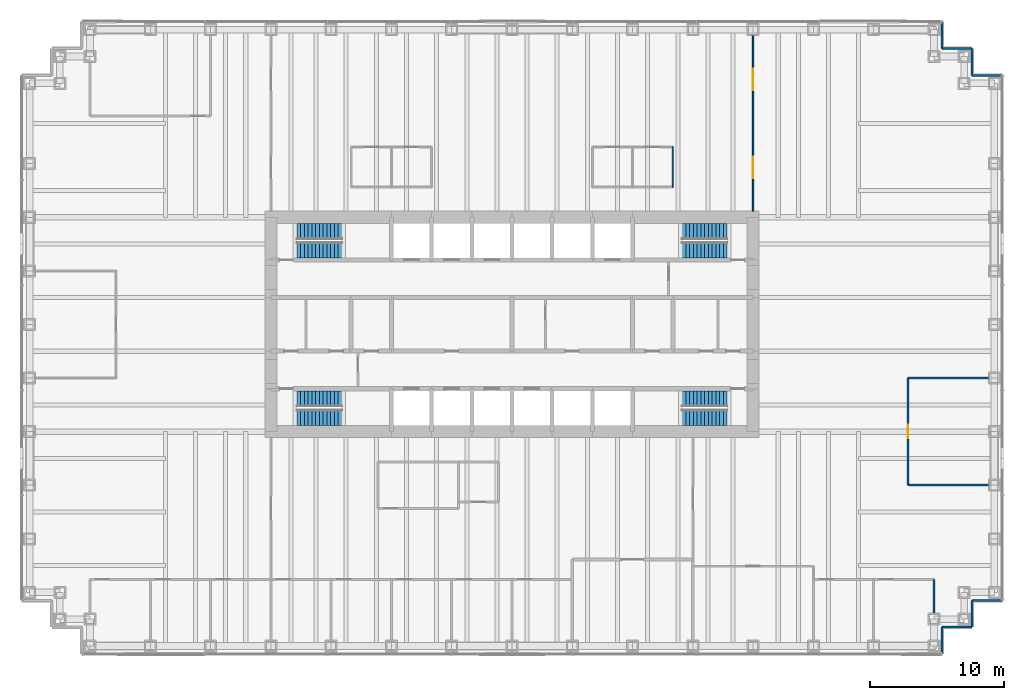
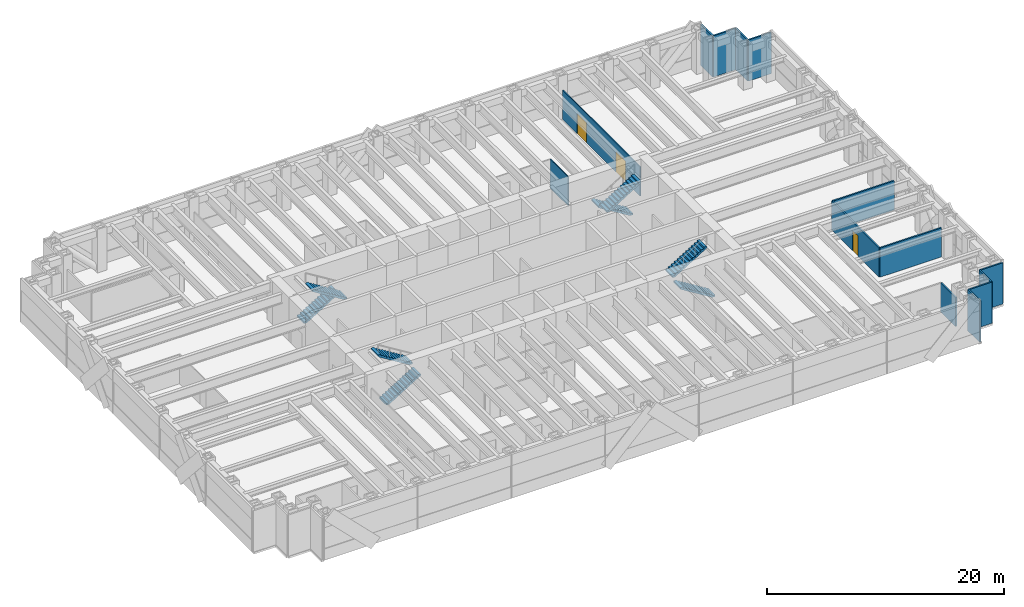
# One storey, part 12 of 13: 14 walls, 8 stair flights, 3 doors, 3 openings, 4 elements without a shape of their own.
"""IFC4 building model written with IfcOpenShell, lengths in metres."""

from ifc_helpers import new_model, si_unit, direction, frame, frame_2d, origin, place, context, subcontext, project, spatial, polyline, rectangle, outline, extrude, material, layer, layer_set, type_object, element, fill, aggregate, save


model = new_model("IFC4")

# Units and contexts
model_context = context("Model", 3, precision=1e-05, world=origin(), true_north=direction((0.0, 1.0)))
body_context = subcontext(model_context, "Body", "Model", "MODEL_VIEW")
ifc_project = project(units=[si_unit("LENGTHUNIT", "METRE"), si_unit("AREAUNIT", "SQUARE_METRE"), si_unit("VOLUMEUNIT", "CUBIC_METRE"), si_unit("PLANEANGLEUNIT", "RADIAN"), si_unit("MASSUNIT", "GRAM", prefix="KILO")], contexts=[model_context])

# Site, building, storey
site_placement = place(None, origin())
site = spatial("IfcSite", under=ifc_project, at=site_placement, CompositionType="ELEMENT")
building_placement = place(site_placement, origin())
building = spatial("IfcBuilding", under=site, at=building_placement, Name="Rheinbord Bourse Tower", CompositionType="ELEMENT")
storey_placement = place(building_placement, frame((0.0, 0.0, 90.5)))
storey = spatial("IfcBuildingStorey", under=building, at=storey_placement, Name="L19", CompositionType="ELEMENT", Elevation=90.5)

# Walls
ifc_material_1 = material(Name="Black metal rainscreen panel", Category="aluminium")
ifc_layer_1 = layer(ifc_material_1, 0.14990234375)
ifc_layer_set_1 = layer_set([ifc_layer_1], Name="CORNER PIER CLADDING 150")
wall_type_1 = type_object("IfcWallType", Name="CORNER PIER CLADDING 150", PredefinedType="ELEMENTEDWALL", material=ifc_layer_set_1)
wall_1_placement = place(storey_placement, frame((68.10009765625, -0.60009765625, 0.0), z_axis=(0.0, 0.0, 1.0), x_axis=(0.0, 1.0, 0.0)))
element("IfcWall", 1, at=wall_1_placement, inside=storey, type_object=wall_type_1, Name="Corner pier cladding L19 2", PredefinedType="ELEMENTEDWALL", context=body_context, shape_type="SweptSolid", body=[
    extrude(rectangle(XDim=2.0, YDim=0.14990234375, at=frame_2d((1.0, 0.0))), origin(), (0.0, 0.0, 1.0), 4.25),
])
wall_2_placement = place(storey_placement, frame((68.10009765625, 1.39990234375, 0.0), z_axis=(0.0, 0.0, 1.0), x_axis=(1.0, 0.0, 0.0)))
element("IfcWall", 2, at=wall_2_placement, inside=storey, type_object=wall_type_1, Name="Corner pier cladding L19 3", PredefinedType="ELEMENTEDWALL", context=body_context, shape_type="SweptSolid", body=[
    extrude(rectangle(XDim=2.25, YDim=0.14990234375, at=frame_2d((1.125, 0.0))), origin(), (0.0, 0.0, 1.0), 4.25),
])
wall_3_placement = place(storey_placement, frame((70.35009765625, 1.39990234375, 0.0), z_axis=(0.0, 0.0, 1.0), x_axis=(0.0, 1.0, 0.0)))
element("IfcWall", 3, at=wall_3_placement, inside=storey, type_object=wall_type_1, Name="Corner pier cladding L19 4", PredefinedType="ELEMENTEDWALL", context=body_context, shape_type="SweptSolid", body=[
    extrude(rectangle(XDim=2.0, YDim=0.14990234375, at=frame_2d((1.0, 0.0))), origin(), (0.0, 0.0, 1.0), 4.25),
])
for number, where, z_axis, x_axis, name in (
    (4, (70.35009765625, 3.39990234375, 0.0), (0.0, 0.0, 1.0), (1.0, 0.0, 0.0), "Corner pier cladding L19 5"),
    (5, (72.60009765625, 42.60009765625, 0.0), (0.0, 0.0, 1.0), (-1.0, 0.0, 0.0), "Corner pier cladding L19 7"),
):
    element("IfcWall", number, at=place(storey_placement, frame(where, z_axis=z_axis, x_axis=x_axis)), inside=storey, type_object=wall_type_1, Name=name, PredefinedType="ELEMENTEDWALL", context=body_context, shape_type="SweptSolid", body=[
        extrude(rectangle(XDim=2.25, YDim=0.14990234375, at=frame_2d((1.125, 0.0))), origin(), (0.0, 0.0, 1.0), 4.25),
    ])
wall_4_placement = place(storey_placement, frame((70.35009765625, 42.60009765625, 0.0), z_axis=(0.0, 0.0, 1.0), x_axis=(0.0, 1.0, 0.0)))
element("IfcWall", 6, at=wall_4_placement, inside=storey, type_object=wall_type_1, Name="Corner pier cladding L19 8", PredefinedType="ELEMENTEDWALL", context=body_context, shape_type="SweptSolid", body=[
    extrude(rectangle(XDim=2.0, YDim=0.14990234375, at=frame_2d((1.0, 0.0))), origin(), (0.0, 0.0, 1.0), 4.25),
])
wall_5_placement = place(storey_placement, frame((70.35009765625, 44.60009765625, 0.0), z_axis=(0.0, 0.0, 1.0), x_axis=(-1.0, 0.0, 0.0)))
element("IfcWall", 7, at=wall_5_placement, inside=storey, type_object=wall_type_1, Name="Corner pier cladding L19 9", PredefinedType="ELEMENTEDWALL", context=body_context, shape_type="SweptSolid", body=[
    extrude(rectangle(XDim=2.25, YDim=0.14990234375, at=frame_2d((1.125, 0.0))), origin(), (0.0, 0.0, 1.0), 4.25),
])
wall_6_placement = place(storey_placement, frame((68.10009765625, 44.60009765625, 0.0), z_axis=(0.0, 0.0, 1.0), x_axis=(0.0, 1.0, 0.0)))
element("IfcWall", 8, at=wall_6_placement, inside=storey, type_object=wall_type_1, Name="Corner pier cladding L19 10", PredefinedType="ELEMENTEDWALL", context=body_context, shape_type="SweptSolid", body=[
    extrude(rectangle(XDim=2.0, YDim=0.14990234375, at=frame_2d((1.0, 0.0))), origin(), (0.0, 0.0, 1.0), 4.25),
])
ifc_material_2 = material(Name="Toughened laminated glass partition", Category="glass")
ifc_layer_2 = layer(ifc_material_2, 0.10009765625)
ifc_layer_set_2 = layer_set([ifc_layer_2], Name="GLAZED PARTITION 100")
wall_type_2 = type_object("IfcWallType", Name="GLAZED PARTITION 100", PredefinedType="PARTITIONING", material=ifc_layer_set_2)
wall_7_placement = place(storey_placement, frame((48.0, 34.25, 0.0), z_axis=(0.0, 0.0, 1.0), x_axis=(0.0, 1.0, 0.0)))
element("IfcWall", 9, at=wall_7_placement, inside=storey, type_object=wall_type_2, Name="Partition L19-40", PredefinedType="PARTITIONING", context=body_context, shape_type="SweptSolid", body=[
    extrude(rectangle(XDim=3.0, YDim=0.10009765625, at=frame_2d((1.5, 0.0))), origin(), (0.0, 0.0, 1.0), 3.0),
])

# Wall, openings, doors
wall_8_placement = place(storey_placement, frame((54.0, 32.449951171875, 0.0), z_axis=(0.0, 0.0, 1.0), x_axis=(0.0, 1.0, 0.0)))
wall_8 = element("IfcWall", 10, at=wall_8_placement, inside=storey, type_object=wall_type_2, Name="Partition L19-43", PredefinedType="PARTITIONING", context=body_context, shape_type="SweptSolid", body=[
    extrude(rectangle(XDim=13.10009765625, YDim=0.10009765625, at=frame_2d((6.550048828125, 0.0))), origin(), (0.0, 0.0, 1.0), 3.0),
])
opening_1_placement = place(wall_8_placement, frame((2.47509765625, 0.0, 0.0)))
opening_1 = element("IfcOpeningElement", 11, at=opening_1_placement, cuts=wall_8, Name="Opening 19D26", PredefinedType="OPENING", context=body_context, shape_type="SweptSolid", body=[
    extrude(rectangle(XDim=1.60009765625, YDim=2.10009765625, at=frame_2d((0.800048828125, 1.050048828125))), frame((0.0, 0.06005859375, 0.0), z_axis=(0.0, -1.0, 0.0), x_axis=(1.0, 0.0, 0.0)), (0.0, 0.0, 1.0), 0.1201171875),
])
opening_2_placement = place(wall_8_placement, frame((9.02490234375, 0.0, 0.0)))
opening_2 = element("IfcOpeningElement", 12, at=opening_2_placement, cuts=wall_8, Name="Opening 19D27", PredefinedType="OPENING", context=body_context, shape_type="SweptSolid", body=[
    extrude(rectangle(XDim=1.60009765625, YDim=2.10009765625, at=frame_2d((0.800048828125, 1.050048828125))), frame((0.0, 0.06005859375, 0.0), z_axis=(0.0, -1.0, 0.0), x_axis=(1.0, 0.0, 0.0)), (0.0, 0.0, 1.0), 0.1201171875),
])
ifc_material_3 = material(Name="Timber door", Category="wood")
door_type_1 = type_object("IfcDoorType", Name="DOUBLE ROOM DOOR 1600", OperationType="DOUBLE_DOOR_DOUBLE_SWING", PredefinedType="DOOR", material=ifc_material_3)
door_1_placement = place(opening_1_placement, origin())
door_1 = element("IfcDoor", 13, at=door_1_placement, inside=storey, type_object=door_type_1, Name="Open area door L19", OperationType="SINGLE_SWING_LEFT", OverallHeight=2.10009765625, OverallWidth=1.60009765625, PredefinedType="DOOR", context=body_context, shape_type="SweptSolid", body=[
    extrude(rectangle(XDim=1.60009765625, YDim=2.10009765625, at=frame_2d((0.800048828125, 1.050048828125))), frame((0.0, 0.02490234375, 0.0), z_axis=(0.0, -1.0, 0.0), x_axis=(1.0, 0.0, 0.0)), (0.0, 0.0, 1.0), 0.050048828125),
])
fill(opening_1, door_1)
door_2_placement = place(opening_2_placement, origin())
door_2 = element("IfcDoor", 14, at=door_2_placement, inside=storey, type_object=door_type_1, Name="Open area door L19", OperationType="SINGLE_SWING_LEFT", OverallHeight=2.10009765625, OverallWidth=1.60009765625, PredefinedType="DOOR", context=body_context, shape_type="SweptSolid", body=[
    extrude(rectangle(XDim=1.60009765625, YDim=2.10009765625, at=frame_2d((0.800048828125, 1.050048828125))), frame((0.0, 0.02490234375, 0.0), z_axis=(0.0, -1.0, 0.0), x_axis=(1.0, 0.0, 0.0)), (0.0, 0.0, 1.0), 0.050048828125),
])
fill(opening_2, door_2)

# Walls
ifc_material_4 = material(Name="Gypsum board partition", Category="gypsum board")
ifc_layer_3 = layer(ifc_material_4, 0.14990234375)
ifc_layer_set_3 = layer_set([ifc_layer_3], Name="PARTITION 150")
wall_type_3 = type_object("IfcWallType", Name="PARTITION 150", PredefinedType="PARTITIONING", material=ifc_layer_set_3)
for number, where, z_axis, x_axis, name in (
    (15, (65.550048828125, 12.0, 0.0), (0.0, 0.0, 1.0), (1.0, 0.0, 0.0), "Partition L19-07"),
    (16, (65.550048828125, 20.0, 0.0), (0.0, 0.0, 1.0), (1.0, 0.0, 0.0), "Partition L19-11"),
):
    element("IfcWall", number, at=place(storey_placement, frame(where, z_axis=z_axis, x_axis=x_axis)), inside=storey, type_object=wall_type_3, Name=name, PredefinedType="PARTITIONING", context=body_context, shape_type="SweptSolid", body=[
        extrude(rectangle(XDim=6.0, YDim=0.14990234375, at=frame_2d((3.0, 0.0))), origin(), (0.0, 0.0, 1.0), 3.0),
    ])

# Wall, opening, door
wall_9_placement = place(storey_placement, frame((65.550048828125, 12.0, 0.0), z_axis=(0.0, 0.0, 1.0), x_axis=(0.0, 1.0, 0.0)))
wall_9 = element("IfcWall", 17, at=wall_9_placement, inside=storey, type_object=wall_type_3, Name="Partition L19-47", PredefinedType="PARTITIONING", context=body_context, shape_type="SweptSolid", body=[
    extrude(rectangle(XDim=8.0, YDim=0.14990234375, at=frame_2d((4.0, 0.0))), origin(), (0.0, 0.0, 1.0), 3.0),
])
opening_3_placement = place(wall_9_placement, frame((3.5, 0.0, 0.0)))
opening_3 = element("IfcOpeningElement", 18, at=opening_3_placement, cuts=wall_9, Name="Opening 19D15", PredefinedType="OPENING", context=body_context, shape_type="SweptSolid", body=[
    extrude(rectangle(XDim=1.0, YDim=2.10009765625, at=frame_2d((0.5, 1.050048828125))), frame((0.0, 0.0849609375, 0.0), z_axis=(0.0, -1.0, 0.0), x_axis=(1.0, 0.0, 0.0)), (0.0, 0.0, 1.0), 0.169921875),
])
ifc_material_5 = material(Name="Timber door", Category="wood")
door_type_2 = type_object("IfcDoorType", Name="ROOM DOOR 1000", OperationType="SINGLE_SWING_LEFT", PredefinedType="DOOR", material=ifc_material_5)
door_3_placement = place(opening_3_placement, origin())
door_3 = element("IfcDoor", 19, at=door_3_placement, inside=storey, type_object=door_type_2, Name="Pantry door L19", OperationType="SINGLE_SWING_LEFT", OverallHeight=2.10009765625, OverallWidth=1.0, PredefinedType="DOOR", context=body_context, shape_type="SweptSolid", body=[
    extrude(rectangle(XDim=1.0, YDim=2.10009765625, at=frame_2d((0.5, 1.050048828125))), frame((0.0, 0.02490234375, 0.0), z_axis=(0.0, -1.0, 0.0), x_axis=(1.0, 0.0, 0.0)), (0.0, 0.0, 1.0), 0.050048828125),
])
fill(opening_3, door_3)

# Wall
wall_10_placement = place(storey_placement, frame((67.5, 2.449951171875, 0.0), z_axis=(0.0, 0.0, 1.0), x_axis=(0.0, 1.0, 0.0)))
element("IfcWall", 20, at=wall_10_placement, inside=storey, type_object=wall_type_3, Name="Partition L19-48", PredefinedType="PARTITIONING", context=body_context, shape_type="SweptSolid", body=[
    extrude(rectangle(XDim=2.5, YDim=0.14990234375, at=frame_2d((1.25, 0.0))), origin(), (0.0, 0.0, 1.0), 3.0),
])

# Stair, stair flights
ifc_material_6 = material(Name="Concrete C30/37", Category="concrete")
stair_type = type_object("IfcStairType", Name="CORE STAIR HALF TURN 4500", PredefinedType="HALF_TURN_STAIR", material=ifc_material_6)
stair_1_placement = place(storey_placement, origin())
stair_1 = element("IfcStair", 21, at=stair_1_placement, inside=storey, type_object=stair_type, Name="Stair ST1 L19, type CS4", PredefinedType="HALF_TURN_STAIR")
ifc_material_7 = material(Name="Concrete C30/37", Category="concrete")
stair_flight_type = type_object("IfcStairFlightType", Name="CORE STAIR FLIGHT 1200, 13 RISERS", PredefinedType="STRAIGHT", material=ifc_material_7)
stair_flight_1_placement = place(storey_placement, frame((19.949951171875, 17.050048828125, 0.0), z_axis=(0.0, 0.0, 1.0), x_axis=(1.0, 0.0, 0.0)))
stair_flight_1 = element("IfcStairFlight", 22, at=stair_flight_1_placement, type_object=stair_flight_type, Name="STAIR L19 ST1 F1", NumberOfRisers=13, NumberOfTreads=12, PredefinedType="STRAIGHT", RiserHeight=0.173076923, TreadLength=0.28, context=body_context, shape_type="SweptSolid", body=[
    extrude(outline(polyline([(0.0, 0.0), (0.0, 0.173095703125), (0.280029296875, 0.173095703125), (0.280029296875, 0.34619140625), (0.56005859375, 0.34619140625), (0.56005859375, 0.519287109375), (0.840087890625, 0.519287109375), (0.840087890625, 0.6923828125), (1.1201171875, 0.6923828125), (1.1201171875, 0.865478515625), (1.39990234375, 0.865478515625), (1.39990234375, 1.03857421875), (1.679931640625, 1.03857421875), (1.679931640625, 1.21142578125), (1.9599609375, 1.21142578125), (1.9599609375, 1.384521484375), (2.239990234375, 1.384521484375), (2.239990234375, 1.5576171875), (2.52001953125, 1.5576171875), (2.52001953125, 1.730712890625), (2.800048828125, 1.730712890625), (2.800048828125, 1.90380859375), (3.080078125, 1.90380859375), (3.080078125, 2.076904296875), (3.360107421875, 2.076904296875), (3.360107421875, 2.25), (3.360107421875, 1.900634765625), (0.28515625, 0.0), (0.0, 0.0)])), frame((0.0, 0.60009765625, 0.0), z_axis=(0.0, -1.0, 0.0), x_axis=(1.0, 0.0, 0.0)), (0.0, 0.0, 1.0), 1.199951171875),
])
stair_flight_2_placement = place(storey_placement, frame((23.31005859375, 18.449951171875, 2.25), z_axis=(0.0, 0.0, 1.0), x_axis=(-1.0, 0.0, 0.0)))
stair_flight_2 = element("IfcStairFlight", 23, at=stair_flight_2_placement, type_object=stair_flight_type, Name="STAIR L19 ST1 F2", NumberOfRisers=13, NumberOfTreads=12, PredefinedType="STRAIGHT", RiserHeight=0.173076923, TreadLength=0.28, context=body_context, shape_type="SweptSolid", body=[
    extrude(outline(polyline([(0.0, 0.0), (0.0, 0.173095703125), (0.280029296875, 0.173095703125), (0.280029296875, 0.34619140625), (0.56005859375, 0.34619140625), (0.56005859375, 0.519287109375), (0.840087890625, 0.519287109375), (0.840087890625, 0.6923828125), (1.1201171875, 0.6923828125), (1.1201171875, 0.865478515625), (1.39990234375, 0.865478515625), (1.39990234375, 1.03857421875), (1.679931640625, 1.03857421875), (1.679931640625, 1.21142578125), (1.9599609375, 1.21142578125), (1.9599609375, 1.384521484375), (2.239990234375, 1.384521484375), (2.239990234375, 1.5576171875), (2.52001953125, 1.5576171875), (2.52001953125, 1.730712890625), (2.800048828125, 1.730712890625), (2.800048828125, 1.90380859375), (3.080078125, 1.90380859375), (3.080078125, 2.076904296875), (3.360107421875, 2.076904296875), (3.360107421875, 2.25), (3.360107421875, 1.900634765625), (0.28515625, 0.0), (0.0, 0.0)])), frame((0.0, 0.60009765625, 0.0), z_axis=(0.0, -1.0, 0.0), x_axis=(1.0, 0.0, 0.0)), (0.0, 0.0, 1.0), 1.199951171875),
])
aggregate(stair_1, [stair_flight_1, stair_flight_2])

stair_2_placement = place(storey_placement, origin())
stair_2 = element("IfcStair", 24, at=stair_2_placement, inside=storey, type_object=stair_type, Name="Stair ST2 L19, type CS4", PredefinedType="HALF_TURN_STAIR")
stair_flight_3_placement = place(storey_placement, frame((19.949951171875, 30.949951171875, 0.0), z_axis=(0.0, 0.0, 1.0), x_axis=(1.0, 0.0, 0.0)))
stair_flight_3 = element("IfcStairFlight", 25, at=stair_flight_3_placement, type_object=stair_flight_type, Name="STAIR L19 ST2 F1", NumberOfRisers=13, NumberOfTreads=12, PredefinedType="STRAIGHT", RiserHeight=0.173076923, TreadLength=0.28, context=body_context, shape_type="SweptSolid", body=[
    extrude(outline(polyline([(0.0, 0.0), (0.0, 0.173095703125), (0.280029296875, 0.173095703125), (0.280029296875, 0.34619140625), (0.56005859375, 0.34619140625), (0.56005859375, 0.519287109375), (0.840087890625, 0.519287109375), (0.840087890625, 0.6923828125), (1.1201171875, 0.6923828125), (1.1201171875, 0.865478515625), (1.39990234375, 0.865478515625), (1.39990234375, 1.03857421875), (1.679931640625, 1.03857421875), (1.679931640625, 1.21142578125), (1.9599609375, 1.21142578125), (1.9599609375, 1.384521484375), (2.239990234375, 1.384521484375), (2.239990234375, 1.5576171875), (2.52001953125, 1.5576171875), (2.52001953125, 1.730712890625), (2.800048828125, 1.730712890625), (2.800048828125, 1.90380859375), (3.080078125, 1.90380859375), (3.080078125, 2.076904296875), (3.360107421875, 2.076904296875), (3.360107421875, 2.25), (3.360107421875, 1.900634765625), (0.28515625, 0.0), (0.0, 0.0)])), frame((0.0, 0.60009765625, 0.0), z_axis=(0.0, -1.0, 0.0), x_axis=(1.0, 0.0, 0.0)), (0.0, 0.0, 1.0), 1.199951171875),
])
stair_flight_4_placement = place(storey_placement, frame((23.31005859375, 29.550048828125, 2.25), z_axis=(0.0, 0.0, 1.0), x_axis=(-1.0, 0.0, 0.0)))
stair_flight_4 = element("IfcStairFlight", 26, at=stair_flight_4_placement, type_object=stair_flight_type, Name="STAIR L19 ST2 F2", NumberOfRisers=13, NumberOfTreads=12, PredefinedType="STRAIGHT", RiserHeight=0.173076923, TreadLength=0.28, context=body_context, shape_type="SweptSolid", body=[
    extrude(outline(polyline([(0.0, 0.0), (0.0, 0.173095703125), (0.280029296875, 0.173095703125), (0.280029296875, 0.34619140625), (0.56005859375, 0.34619140625), (0.56005859375, 0.519287109375), (0.840087890625, 0.519287109375), (0.840087890625, 0.6923828125), (1.1201171875, 0.6923828125), (1.1201171875, 0.865478515625), (1.39990234375, 0.865478515625), (1.39990234375, 1.03857421875), (1.679931640625, 1.03857421875), (1.679931640625, 1.21142578125), (1.9599609375, 1.21142578125), (1.9599609375, 1.384521484375), (2.239990234375, 1.384521484375), (2.239990234375, 1.5576171875), (2.52001953125, 1.5576171875), (2.52001953125, 1.730712890625), (2.800048828125, 1.730712890625), (2.800048828125, 1.90380859375), (3.080078125, 1.90380859375), (3.080078125, 2.076904296875), (3.360107421875, 2.076904296875), (3.360107421875, 2.25), (3.360107421875, 1.900634765625), (0.28515625, 0.0), (0.0, 0.0)])), frame((0.0, 0.60009765625, 0.0), z_axis=(0.0, -1.0, 0.0), x_axis=(1.0, 0.0, 0.0)), (0.0, 0.0, 1.0), 1.199951171875),
])
aggregate(stair_2, [stair_flight_3, stair_flight_4])

stair_3_placement = place(storey_placement, origin())
stair_3 = element("IfcStair", 27, at=stair_3_placement, inside=storey, type_object=stair_type, Name="Stair ST3 L19, type CS4", PredefinedType="HALF_TURN_STAIR")
stair_flight_5_placement = place(storey_placement, frame((52.050048828125, 17.050048828125, 0.0), z_axis=(0.0, 0.0, 1.0), x_axis=(-1.0, 0.0, 0.0)))
stair_flight_5 = element("IfcStairFlight", 28, at=stair_flight_5_placement, type_object=stair_flight_type, Name="STAIR L19 ST3 F1", NumberOfRisers=13, NumberOfTreads=12, PredefinedType="STRAIGHT", RiserHeight=0.173076923, TreadLength=0.28, context=body_context, shape_type="SweptSolid", body=[
    extrude(outline(polyline([(0.0, 0.0), (0.0, 0.173095703125), (0.280029296875, 0.173095703125), (0.280029296875, 0.34619140625), (0.56005859375, 0.34619140625), (0.56005859375, 0.519287109375), (0.840087890625, 0.519287109375), (0.840087890625, 0.6923828125), (1.1201171875, 0.6923828125), (1.1201171875, 0.865478515625), (1.39990234375, 0.865478515625), (1.39990234375, 1.03857421875), (1.679931640625, 1.03857421875), (1.679931640625, 1.21142578125), (1.9599609375, 1.21142578125), (1.9599609375, 1.384521484375), (2.239990234375, 1.384521484375), (2.239990234375, 1.5576171875), (2.52001953125, 1.5576171875), (2.52001953125, 1.730712890625), (2.800048828125, 1.730712890625), (2.800048828125, 1.90380859375), (3.080078125, 1.90380859375), (3.080078125, 2.076904296875), (3.360107421875, 2.076904296875), (3.360107421875, 2.25), (3.360107421875, 1.900634765625), (0.28515625, 0.0), (0.0, 0.0)])), frame((0.0, 0.60009765625, 0.0), z_axis=(0.0, -1.0, 0.0), x_axis=(1.0, 0.0, 0.0)), (0.0, 0.0, 1.0), 1.199951171875),
])
stair_flight_6_placement = place(storey_placement, frame((48.68994140625, 18.449951171875, 2.25), z_axis=(0.0, 0.0, 1.0), x_axis=(1.0, 0.0, 0.0)))
stair_flight_6 = element("IfcStairFlight", 29, at=stair_flight_6_placement, type_object=stair_flight_type, Name="STAIR L19 ST3 F2", NumberOfRisers=13, NumberOfTreads=12, PredefinedType="STRAIGHT", RiserHeight=0.173076923, TreadLength=0.28, context=body_context, shape_type="SweptSolid", body=[
    extrude(outline(polyline([(0.0, 0.0), (0.0, 0.173095703125), (0.280029296875, 0.173095703125), (0.280029296875, 0.34619140625), (0.56005859375, 0.34619140625), (0.56005859375, 0.519287109375), (0.840087890625, 0.519287109375), (0.840087890625, 0.6923828125), (1.1201171875, 0.6923828125), (1.1201171875, 0.865478515625), (1.39990234375, 0.865478515625), (1.39990234375, 1.03857421875), (1.679931640625, 1.03857421875), (1.679931640625, 1.21142578125), (1.9599609375, 1.21142578125), (1.9599609375, 1.384521484375), (2.239990234375, 1.384521484375), (2.239990234375, 1.5576171875), (2.52001953125, 1.5576171875), (2.52001953125, 1.730712890625), (2.800048828125, 1.730712890625), (2.800048828125, 1.90380859375), (3.080078125, 1.90380859375), (3.080078125, 2.076904296875), (3.360107421875, 2.076904296875), (3.360107421875, 2.25), (3.360107421875, 1.900634765625), (0.28515625, 0.0), (0.0, 0.0)])), frame((0.0, 0.60009765625, 0.0), z_axis=(0.0, -1.0, 0.0), x_axis=(1.0, 0.0, 0.0)), (0.0, 0.0, 1.0), 1.199951171875),
])
aggregate(stair_3, [stair_flight_5, stair_flight_6])

stair_4_placement = place(storey_placement, origin())
stair_4 = element("IfcStair", 30, at=stair_4_placement, inside=storey, type_object=stair_type, Name="Stair ST4 L19, type CS4", PredefinedType="HALF_TURN_STAIR")
stair_flight_7_placement = place(storey_placement, frame((52.050048828125, 30.949951171875, 0.0), z_axis=(0.0, 0.0, 1.0), x_axis=(-1.0, 0.0, 0.0)))
stair_flight_7 = element("IfcStairFlight", 31, at=stair_flight_7_placement, type_object=stair_flight_type, Name="STAIR L19 ST4 F1", NumberOfRisers=13, NumberOfTreads=12, PredefinedType="STRAIGHT", RiserHeight=0.173076923, TreadLength=0.28, context=body_context, shape_type="SweptSolid", body=[
    extrude(outline(polyline([(0.0, 0.0), (0.0, 0.173095703125), (0.280029296875, 0.173095703125), (0.280029296875, 0.34619140625), (0.56005859375, 0.34619140625), (0.56005859375, 0.519287109375), (0.840087890625, 0.519287109375), (0.840087890625, 0.6923828125), (1.1201171875, 0.6923828125), (1.1201171875, 0.865478515625), (1.39990234375, 0.865478515625), (1.39990234375, 1.03857421875), (1.679931640625, 1.03857421875), (1.679931640625, 1.21142578125), (1.9599609375, 1.21142578125), (1.9599609375, 1.384521484375), (2.239990234375, 1.384521484375), (2.239990234375, 1.5576171875), (2.52001953125, 1.5576171875), (2.52001953125, 1.730712890625), (2.800048828125, 1.730712890625), (2.800048828125, 1.90380859375), (3.080078125, 1.90380859375), (3.080078125, 2.076904296875), (3.360107421875, 2.076904296875), (3.360107421875, 2.25), (3.360107421875, 1.900634765625), (0.28515625, 0.0), (0.0, 0.0)])), frame((0.0, 0.60009765625, 0.0), z_axis=(0.0, -1.0, 0.0), x_axis=(1.0, 0.0, 0.0)), (0.0, 0.0, 1.0), 1.199951171875),
])
stair_flight_8_placement = place(storey_placement, frame((48.68994140625, 29.550048828125, 2.25), z_axis=(0.0, 0.0, 1.0), x_axis=(1.0, 0.0, 0.0)))
stair_flight_8 = element("IfcStairFlight", 32, at=stair_flight_8_placement, type_object=stair_flight_type, Name="STAIR L19 ST4 F2", NumberOfRisers=13, NumberOfTreads=12, PredefinedType="STRAIGHT", RiserHeight=0.173076923, TreadLength=0.28, context=body_context, shape_type="SweptSolid", body=[
    extrude(outline(polyline([(0.0, 0.0), (0.0, 0.173095703125), (0.280029296875, 0.173095703125), (0.280029296875, 0.34619140625), (0.56005859375, 0.34619140625), (0.56005859375, 0.519287109375), (0.840087890625, 0.519287109375), (0.840087890625, 0.6923828125), (1.1201171875, 0.6923828125), (1.1201171875, 0.865478515625), (1.39990234375, 0.865478515625), (1.39990234375, 1.03857421875), (1.679931640625, 1.03857421875), (1.679931640625, 1.21142578125), (1.9599609375, 1.21142578125), (1.9599609375, 1.384521484375), (2.239990234375, 1.384521484375), (2.239990234375, 1.5576171875), (2.52001953125, 1.5576171875), (2.52001953125, 1.730712890625), (2.800048828125, 1.730712890625), (2.800048828125, 1.90380859375), (3.080078125, 1.90380859375), (3.080078125, 2.076904296875), (3.360107421875, 2.076904296875), (3.360107421875, 2.25), (3.360107421875, 1.900634765625), (0.28515625, 0.0), (0.0, 0.0)])), frame((0.0, 0.60009765625, 0.0), z_axis=(0.0, -1.0, 0.0), x_axis=(1.0, 0.0, 0.0)), (0.0, 0.0, 1.0), 1.199951171875),
])
aggregate(stair_4, [stair_flight_7, stair_flight_8])

save(model, "model.ifc")
